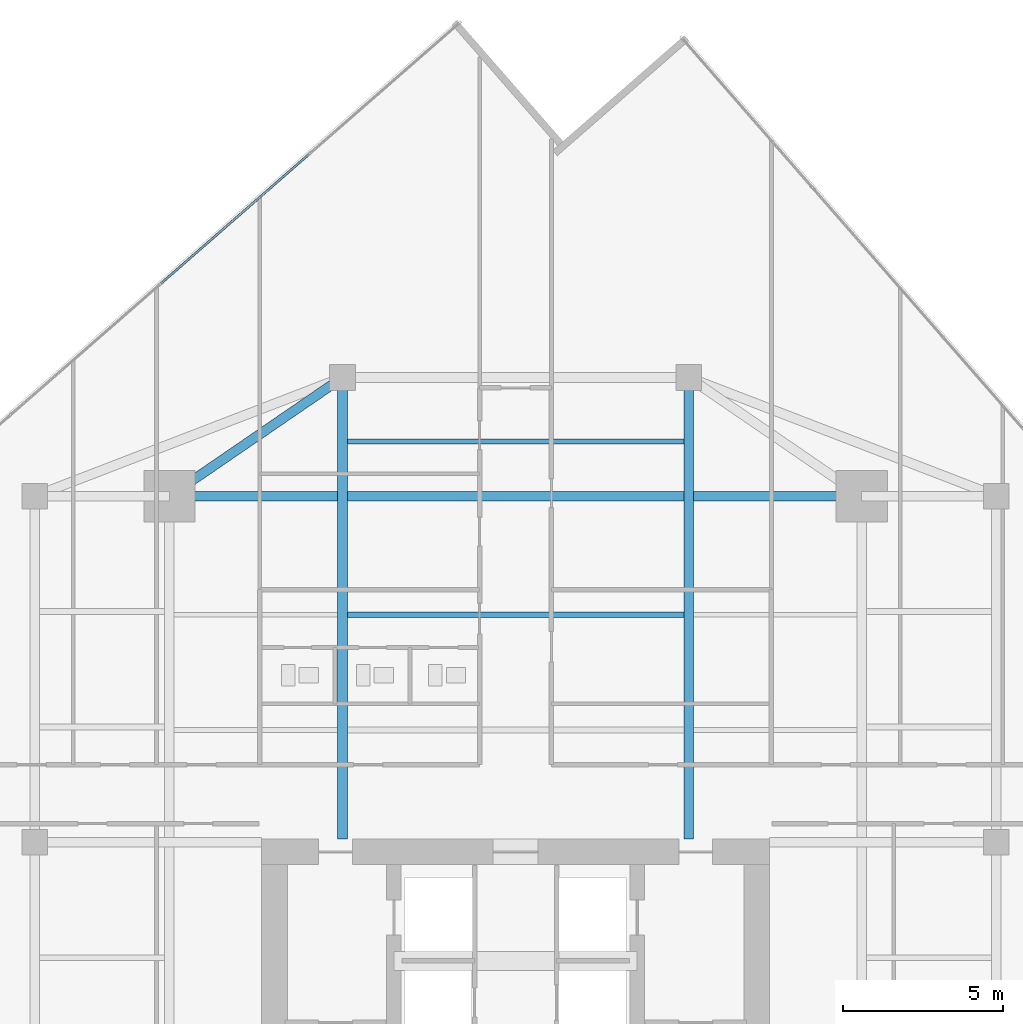
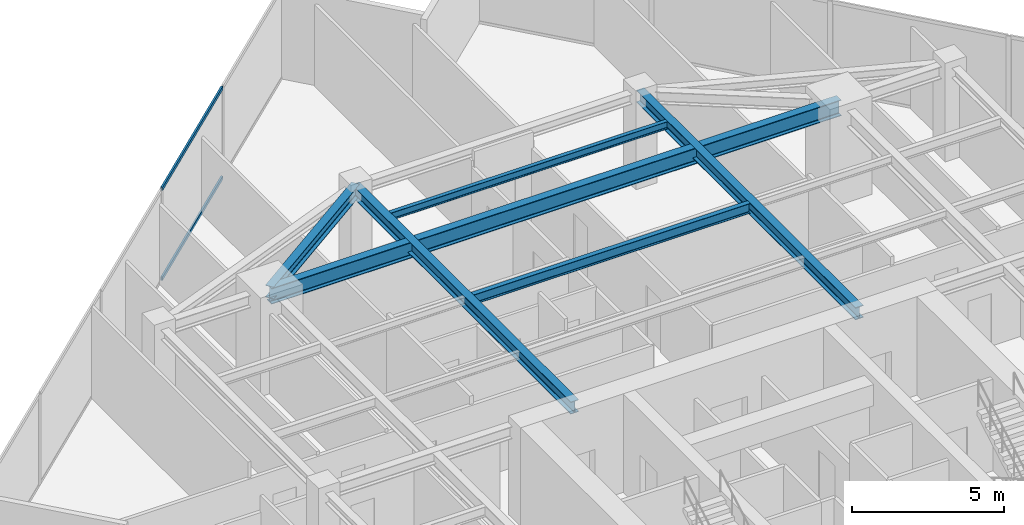
# One storey, part 15 of 24: 6 beams, 2 members, 1 element without a shape of its own.
"""IFC4 building model written with IfcOpenShell, lengths in metres."""

from ifc_helpers import new_model, si_unit, direction, frame, origin, origin_2d, place, context, subcontext, project, spatial, hollow_rectangle, i_section, extrude, source, transform, mapped, material, material_profile, profile_set, type_object, type_shapes, element, aggregate, save


model = new_model("IFC4")

# Units and contexts
model_context = context("Model", 3, precision=1e-05, world=origin(), true_north=direction((0.0, 1.0)))
body_context = subcontext(model_context, "Body", "Model", "MODEL_VIEW")
ifc_project = project(units=[si_unit("LENGTHUNIT", "METRE"), si_unit("AREAUNIT", "SQUARE_METRE"), si_unit("VOLUMEUNIT", "CUBIC_METRE"), si_unit("PLANEANGLEUNIT", "RADIAN"), si_unit("MASSUNIT", "GRAM", prefix="KILO")], contexts=[model_context])

# Site, building, storey
site_placement = place(None, origin())
site = spatial("IfcSite", under=ifc_project, at=site_placement, CompositionType="ELEMENT")
building_placement = place(site_placement, origin())
building = spatial("IfcBuilding", under=site, at=building_placement, Name="Krantzveldt Concourse Tower", CompositionType="ELEMENT")
storey_placement = place(building_placement, frame((0.0, 0.0, 250.75)))
storey = spatial("IfcBuildingStorey", under=building, at=storey_placement, Name="L61", CompositionType="ELEMENT", Elevation=250.75)

# Beams
ifc_material_1 = material(Name="Steel S355JR", Category="steel")
ifc_material_profile_1 = material_profile(ifc_material_1, i_section(OverallWidth=0.300048828125, OverallDepth=0.639892578125, WebThickness=0.013427734375, FlangeThickness=0.02587890625, FilletRadius=0.027099609375, at=origin_2d()), Name="Steel S355JR", Category="steel")
ifc_profile_set_1 = profile_set([ifc_material_profile_1], Name="Steel S355JR - HEA 650")
beam_type_1 = type_object("IfcBeamType", Name="BM-B-HEA650", PredefinedType="BEAM", material=ifc_profile_set_1)
shared_shape_1 = source(origin(), body_context, "Body", "SweptSolid", [
    extrude(i_section(OverallWidth=0.300048828125, OverallDepth=0.639892578125, WebThickness=0.013427734375, FlangeThickness=0.02587890625, FilletRadius=0.027099609375, at=origin_2d()), origin(), (0.0, 0.0, 1.0), 21.60009765625),
])
type_shapes(beam_type_1, [shared_shape_1])
beam_1_placement = place(storey_placement, frame((25.199951171875, 37.5, 3.35009765625), z_axis=(1.0, 0.0, 0.0), x_axis=(0.0, 1.0, 0.0)))
element("IfcBeam", 1, at=beam_1_placement, inside=storey, type_object=beam_type_1, Name="L61 Tower Girder BG-MN", PredefinedType="BEAM", context=body_context, shape_type="MappedRepresentation", body=[
    mapped(shared_shape_1, transform((0.0, 0.0, 0.0), x_axis=(1.0, 0.0, 0.0), y_axis=(0.0, 1.0, 0.0), z_axis=(0.0, 0.0, 1.0), scale=1.0)),
])
ifc_material_profile_2 = material_profile(ifc_material_1, i_section(OverallWidth=0.179931640625, OverallDepth=0.39990234375, WebThickness=0.008544921875, FlangeThickness=0.013427734375, FilletRadius=0.02099609375, at=origin_2d()), Name="Steel S355JR", Category="steel")
ifc_profile_set_2 = profile_set([ifc_material_profile_2], Name="Steel S355JR - IPE 400")
beam_type_2 = type_object("IfcBeamType", Name="BM-J-IPE400", PredefinedType="JOIST", material=ifc_profile_set_2)
shared_shape_2 = source(origin(), body_context, "Body", "SweptSolid", [
    extrude(i_section(OverallWidth=0.179931640625, OverallDepth=0.39990234375, WebThickness=0.008544921875, FlangeThickness=0.013427734375, FilletRadius=0.02099609375, at=origin_2d()), origin(), (0.0, 0.0, 1.0), 10.5),
])
type_shapes(beam_type_2, [shared_shape_2])
beam_2_placement = place(storey_placement, frame((30.75, 33.800048828125, 3.469970703125), z_axis=(1.0, 0.0, 0.0), x_axis=(0.0, 1.0, 0.0)))
element("IfcBeam", 2, at=beam_2_placement, inside=storey, type_object=beam_type_2, Name="L61 Secondary Floor Joist JN-C2", PredefinedType="JOIST", context=body_context, shape_type="MappedRepresentation", body=[
    mapped(shared_shape_2, transform((0.0, 0.0, 0.0), x_axis=(1.0, 0.0, 0.0), y_axis=(0.0, 1.0, 0.0), z_axis=(0.0, 0.0, 1.0), scale=1.0)),
])
ifc_material_profile_3 = material_profile(ifc_material_1, i_section(OverallWidth=0.300048828125, OverallDepth=0.489990234375, WebThickness=0.011962890625, FlangeThickness=0.02294921875, FilletRadius=0.027099609375, at=origin_2d()), Name="Steel S355JR", Category="steel")
ifc_profile_set_3 = profile_set([ifc_material_profile_3], Name="Steel S355JR - HEA 500")
beam_type_3 = type_object("IfcBeamType", Name="BM-B-HEA500", PredefinedType="BEAM", material=ifc_profile_set_3)
shared_shape_3 = source(origin(), body_context, "Body", "SweptSolid", [
    extrude(i_section(OverallWidth=0.300048828125, OverallDepth=0.489990234375, WebThickness=0.011962890625, FlangeThickness=0.02294921875, FilletRadius=0.027099609375, at=origin_2d()), origin(), (0.0, 0.0, 1.0), 14.39990234375),
])
for number, where, z_axis, x_axis, name in (
    (3, (30.60009765625, 26.800048828125, 3.425048828125), (0.0, 1.0, 0.0), (-1.0, 0.0, 0.0), "L61 Tower Girder BG-CNW"),
    (4, (41.39990234375, 26.800048828125, 3.425048828125), (0.0, 1.0, 0.0), (-1.0, 0.0, 0.0), "L61 Tower Girder BG-CNE"),
):
    element("IfcBeam", number, at=place(storey_placement, frame(where, z_axis=z_axis, x_axis=x_axis)), inside=storey, type_object=beam_type_3, Name=name, PredefinedType="BEAM", context=body_context, shape_type="MappedRepresentation", body=[
        mapped(shared_shape_3, transform((0.0, 0.0, 0.0), x_axis=(1.0, 0.0, 0.0), y_axis=(0.0, 1.0, 0.0), z_axis=(0.0, 0.0, 1.0), scale=1.0)),
    ])
shared_shape_4 = source(origin(), body_context, "Body", "SweptSolid", [
    extrude(i_section(OverallWidth=0.300048828125, OverallDepth=0.489990234375, WebThickness=0.011962890625, FlangeThickness=0.02294921875, FilletRadius=0.027099609375, at=origin_2d()), origin(), (0.0, 0.0, 1.0), 6.546142578125),
])
type_shapes(beam_type_3, [shared_shape_3, shared_shape_4])
beam_3_placement = place(storey_placement, frame((25.199951171875, 37.5, 3.425048828125), z_axis=(0.824942999484, 0.565215930068, 0.0), x_axis=(-0.565215930068, 0.824942999484, 0.0)))
element("IfcBeam", 5, at=beam_3_placement, inside=storey, type_object=beam_type_3, Name="L61 Tower Girder BR-RL4", PredefinedType="BEAM", context=body_context, shape_type="MappedRepresentation", body=[
    mapped(shared_shape_4, transform((0.0, 0.0, 0.0), x_axis=(1.0, 0.0, 0.0), y_axis=(0.0, 1.0, 0.0), z_axis=(0.0, 0.0, 1.0), scale=1.0)),
])
ifc_material_profile_4 = material_profile(ifc_material_1, i_section(OverallWidth=0.14990234375, OverallDepth=0.300048828125, WebThickness=0.007080078125, FlangeThickness=0.0107421875, FilletRadius=0.014892578125, at=origin_2d()), Name="Steel S355JR", Category="steel")
ifc_profile_set_4 = profile_set([ifc_material_profile_4], Name="Steel S355JR - IPE 300")
beam_type_4 = type_object("IfcBeamType", Name="BM-J-IPE300", PredefinedType="JOIST", material=ifc_profile_set_4)
shared_shape_5 = source(origin(), body_context, "Body", "SweptSolid", [
    extrude(i_section(OverallWidth=0.14990234375, OverallDepth=0.300048828125, WebThickness=0.007080078125, FlangeThickness=0.0107421875, FilletRadius=0.014892578125, at=origin_2d()), origin(), (0.0, 0.0, 1.0), 10.5),
])
type_shapes(beam_type_4, [shared_shape_5])
beam_4_placement = place(storey_placement, frame((30.75, 39.199951171875, 3.52001953125), z_axis=(1.0, 0.0, 0.0), x_axis=(0.0, 1.0, 0.0)))
element("IfcBeam", 6, at=beam_4_placement, inside=storey, type_object=beam_type_4, Name="L61 Secondary Floor Joist JN-C3", PredefinedType="JOIST", context=body_context, shape_type="MappedRepresentation", body=[
    mapped(shared_shape_5, transform((0.0, 0.0, 0.0), x_axis=(1.0, 0.0, 0.0), y_axis=(0.0, 1.0, 0.0), z_axis=(0.0, 0.0, 1.0), scale=1.0)),
])

# Curtain wall, members
ifc_material_2 = material(Name="Anodised aluminium 6063-T6", Category="aluminium")
curtain_wall_type = type_object("IfcCurtainWallType", Name="CW3", PredefinedType="USERDEFINED", material=ifc_material_2)
curtain_wall_placement = place(storey_placement, origin())
curtain_wall = element("IfcCurtainWall", 7, at=curtain_wall_placement, inside=storey, type_object=curtain_wall_type, Name="CW-L61-F01", ObjectType="UNITISED CURTAIN WALL", PredefinedType="USERDEFINED")
ifc_material_profile_5 = material_profile(ifc_material_2, hollow_rectangle(XDim=0.070068359375, YDim=0.139892578125, WallThickness=0.0048828125, at=origin_2d()), Name="Anodised aluminium 6063-T6", Category="aluminium")
ifc_profile_set_5 = profile_set([ifc_material_profile_5], Name="Anodised aluminium 6063-T6 - ALU-TRAN 140x70x5")
member_type = type_object("IfcMemberType", Name="CW-TRN-150", PredefinedType="USERDEFINED", material=ifc_profile_set_5)
shared_shape_6 = source(origin(), body_context, "Body", "SweptSolid", [
    extrude(hollow_rectangle(XDim=0.070068359375, YDim=0.139892578125, WallThickness=0.0048828125, at=origin_2d()), origin(), (0.0, 0.0, 1.0), 6.130126953125),
])
type_shapes(member_type, [shared_shape_6])
member_1_placement = place(storey_placement, frame((29.555419921875, 48.16796875, 0.034912109375), z_axis=(-0.753281864593, -0.657697827635, 0.0), x_axis=(0.657697827635, -0.753281864593, 0.0)))
member_1 = element("IfcMember", 8, at=member_1_placement, type_object=member_type, Name="CW-Z34 transom 2.1", ObjectType="TRANSOM", PredefinedType="USERDEFINED", context=body_context, shape_type="MappedRepresentation", body=[
    mapped(shared_shape_6, transform((0.0, 0.0, 0.0), x_axis=(1.0, 0.0, 0.0), y_axis=(0.0, 1.0, 0.0), z_axis=(0.0, 0.0, 1.0), scale=1.0)),
])
member_2_placement = place(storey_placement, frame((29.555419921875, 48.16796875, 3.635009765625), z_axis=(-0.753281864593, -0.657697827635, 0.0), x_axis=(0.657697827635, -0.753281864593, 0.0)))
member_2 = element("IfcMember", 9, at=member_2_placement, type_object=member_type, Name="CW-Z34 transom 2.2", ObjectType="TRANSOM", PredefinedType="USERDEFINED", context=body_context, shape_type="MappedRepresentation", body=[
    mapped(shared_shape_6, transform((0.0, 0.0, 0.0), x_axis=(1.0, 0.0, 0.0), y_axis=(0.0, 1.0, 0.0), z_axis=(0.0, 0.0, 1.0), scale=1.0)),
])
aggregate(curtain_wall, [member_1, member_2])

save(model, "model.ifc")
